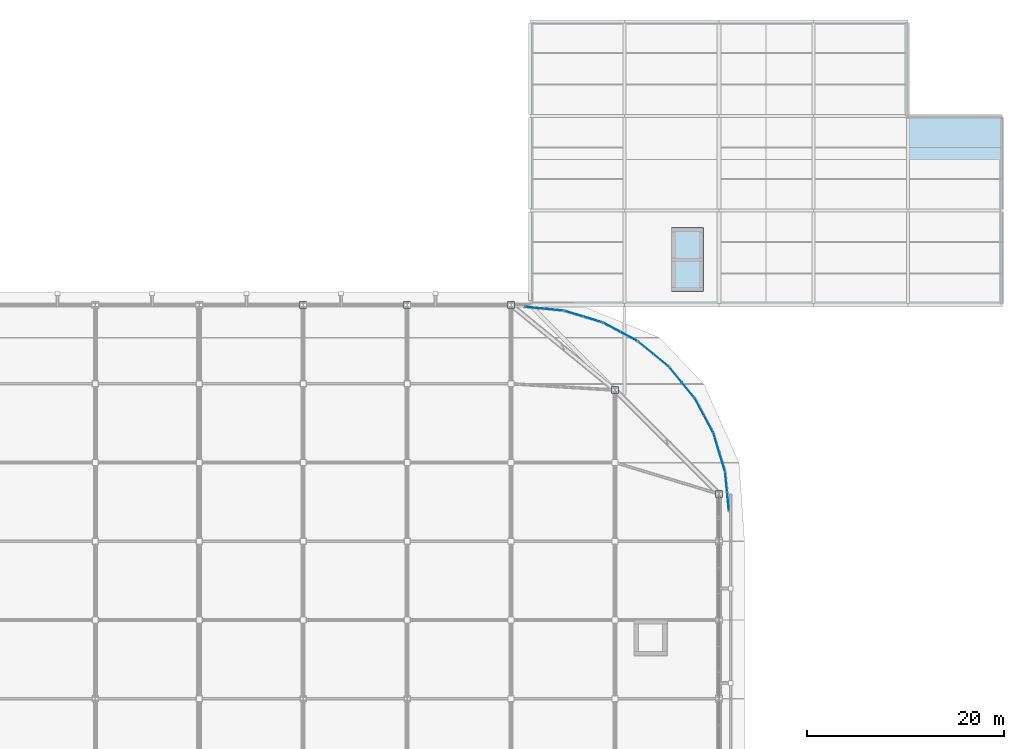
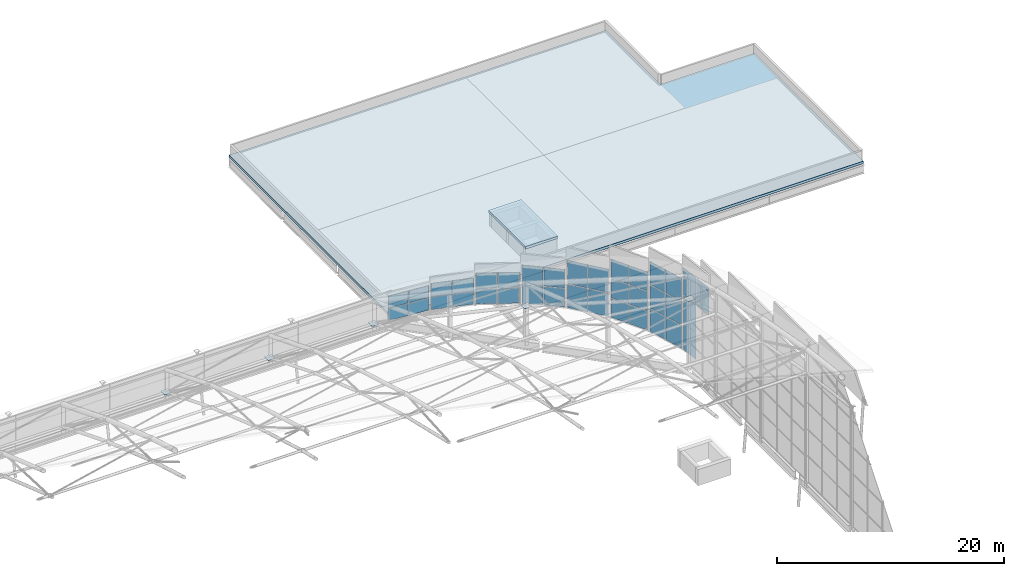
# One storey, part 38 of 42: 41 plates, 2 slabs, 9 elements without a shape of their own.
"""IFC4 building model written with IfcOpenShell, lengths in metres."""

import ifcopenshell
import ifcopenshell.guid

model = None  # the IFC model being written
_history = None  # IfcOwnerHistory: only IFC2X3 demands one
_inside = {}  # id of a spatial element -> (the spatial element, [elements in it])
_under = {}  # id of a project, library or spatial element -> (it, [spatial elements below it])
_declared = {}  # id of a project -> (the project, [libraries it declares])
_typed = {}  # id of a type object -> (the type object, [elements of that type])
_made_of = {}  # id of a material, layer set ... -> (it, [elements and type objects made of it])


def new_model(schema):
    """Start an empty IFC model of exactly this schema.

    Asked for "IFC4X3", IfcOpenShell would pick the latest addendum, in which some entities
    have other attributes; the version numbers below select the first issue.
    IFC2X3 requires an IfcOwnerHistory on every rooted entity: one is made here for all.
    """
    global model, _history
    if schema == "IFC4X3":
        model = ifcopenshell.file(schema_version=(4, 3, 0, 0))
    else:
        model = ifcopenshell.file(schema=schema)
    _inside.clear()
    _under.clear()
    _declared.clear()
    _typed.clear()
    _made_of.clear()
    _history = None
    if model.schema == "IFC2X3":
        org = make("IfcOrganization", Name="unknown")
        user = make(
            "IfcPersonAndOrganization",
            ThePerson=make("IfcPerson", FamilyName="unknown"),
            TheOrganization=org,
        )
        app = make(
            "IfcApplication",
            ApplicationDeveloper=org,
            Version="unknown",
            ApplicationFullName="unknown",
            ApplicationIdentifier="unknown",
        )
        _history = make(
            "IfcOwnerHistory",
            OwningUser=user,
            OwningApplication=app,
            ChangeAction="ADDED",
            CreationDate=0,
        )
    return model


def make(cls, **values):
    """One entity of the class cls with the attributes given. An attribute that is None is left unset."""
    return model.create_entity(
        cls, **{name: value for name, value in values.items() if value is not None}
    )


def rooted(cls, **values):
    """An entity with a GlobalId (a new one), such as an element, a storey or a relation."""
    return make(cls, GlobalId=ifcopenshell.guid.new(), OwnerHistory=_history, **values)


def si_unit(unit_type, name, prefix=None):
    """IfcSIUnit, for example si_unit("LENGTHUNIT", "METRE", prefix="MILLI")."""
    return make("IfcSIUnit", UnitType=unit_type, Prefix=prefix, Name=name)


def assignment(units):
    """IfcUnitAssignment: the units of a project."""
    return None if units is None else make("IfcUnitAssignment", Units=units)


def point(xyz):
    """IfcCartesianPoint."""
    return None if xyz is None else make("IfcCartesianPoint", Coordinates=xyz)


def direction(xyz):
    """IfcDirection."""
    return None if xyz is None else make("IfcDirection", DirectionRatios=xyz)


def frame(location, z_axis=None, x_axis=None):
    """IfcAxis2Placement3D, a coordinate frame: its origin and axes. An axis left out is left unset."""
    return make(
        "IfcAxis2Placement3D",
        Location=point(location),
        Axis=direction(z_axis),
        RefDirection=direction(x_axis),
    )


def frame_2d(location, x_axis=None):
    """IfcAxis2Placement2D, a coordinate frame in the plane: its origin and x axis."""
    return make(
        "IfcAxis2Placement2D", Location=point(location), RefDirection=direction(x_axis)
    )


def origin():
    """The frame at (0, 0, 0) with its axes left unset."""
    return frame((0.0, 0.0, 0.0))


def origin_2d():
    """The frame at (0, 0) in the plane with its x axis left unset."""
    return frame_2d((0.0, 0.0))


def place(relative_to, where):
    """IfcLocalPlacement: puts the frame where relative to a parent placement (None: the world)."""
    return make(
        "IfcLocalPlacement", PlacementRelTo=relative_to, RelativePlacement=where
    )


def context(
    kind, dimensions, precision=None, world=None, true_north=None, identifier=None
):
    """IfcGeometricRepresentationContext, for example the 3D "Model" context."""
    return make(
        "IfcGeometricRepresentationContext",
        ContextIdentifier=identifier,
        ContextType=kind,
        CoordinateSpaceDimension=dimensions,
        Precision=precision,
        WorldCoordinateSystem=world,
        TrueNorth=true_north,
    )


def subcontext(parent, identifier, kind, view, scale=None):
    """IfcGeometricRepresentationSubContext, for example "Body" below "Model"."""
    return make(
        "IfcGeometricRepresentationSubContext",
        ContextIdentifier=identifier,
        ContextType=kind,
        ParentContext=parent,
        TargetScale=scale,
        TargetView=view,
    )


def project(units=None, contexts=None):
    """IfcProject with its units and contexts."""
    return rooted(
        "IfcProject",
        Name="project",
        RepresentationContexts=contexts,
        UnitsInContext=assignment(units),
    )


def spatial(cls, under=None, at=None, **own):
    """A site, building, storey or space (cls), placed at a placement, below another one or the project."""
    s = rooted(cls, ObjectPlacement=at, **own)
    if under is not None:
        _under.setdefault(under.id(), (under, []))[1].append(s)
    return s


def polyline(points):
    """IfcPolyline through the points."""
    return make("IfcPolyline", Points=[point(p) for p in points])


def profile(cls, at=None, kind="AREA", **sizes):
    """A parametric profile (cls). Its sizes go by their IFC names, for example OverallWidth=200.0."""
    return make(cls, ProfileType=kind, Position=at, **sizes)


def rectangle(**sizes):
    """IfcRectangleProfileDef."""
    return profile("IfcRectangleProfileDef", **sizes)


def outline(outer, holes=None, kind="AREA"):
    """IfcArbitraryClosedProfileDef: a profile drawn as a closed curve; with holes, ...WithVoids."""
    if holes is None:
        return make("IfcArbitraryClosedProfileDef", ProfileType=kind, OuterCurve=outer)
    return make(
        "IfcArbitraryProfileDefWithVoids",
        ProfileType=kind,
        OuterCurve=outer,
        InnerCurves=holes,
    )


def extrude(swept, where, along, depth):
    """IfcExtrudedAreaSolid: the profile swept, set in the frame where, extruded along a direction by depth."""
    return make(
        "IfcExtrudedAreaSolid",
        SweptArea=swept,
        Position=where,
        ExtrudedDirection=direction(along),
        Depth=depth,
    )


def shape(context_of_items, identifier, shape_type, items):
    """IfcShapeRepresentation: the items that make up one representation, for example the "Body"."""
    return make(
        "IfcShapeRepresentation",
        ContextOfItems=context_of_items,
        RepresentationIdentifier=identifier,
        RepresentationType=shape_type,
        Items=items,
    )


def material(Name=None, Category=None):
    """IfcMaterial."""
    return make("IfcMaterial", Name=Name, Category=Category)


def layer(
    of_material, thickness, ventilated=None, Name=None, Category=None, Priority=None
):
    """IfcMaterialLayer: one layer of a wall or slab, of a material (None: an air gap)."""
    return make(
        "IfcMaterialLayer",
        Material=of_material,
        LayerThickness=thickness,
        IsVentilated=ventilated,
        Name=Name,
        Category=Category,
        Priority=Priority,
    )


def layer_set(layers, Name=None):
    """IfcMaterialLayerSet."""
    return make("IfcMaterialLayerSet", MaterialLayers=layers, LayerSetName=Name)


def made_of(thing, what):
    """Note that an element or type object is made of a material, layer set ...; save() writes the relation."""
    if what is not None:
        _made_of.setdefault(what.id(), (what, []))[1].append(thing)
    return thing


def type_object(cls, material=None, **own):
    """A type object (cls), such as IfcWallType, which elements share."""
    return made_of(rooted(cls, **own), material)


def element(
    cls,
    number,
    at=None,
    inside=None,
    cuts=None,
    type_object=None,
    material=None,
    context=None,
    identifier="Body",
    shape_type=None,
    held_by="IfcProductDefinitionShape",
    body=None,
    shapes=None,
    **own,
):
    """One element of the class cls, such as IfcWall. Its Tag is "e" and its number.

    at: its placement. inside: the storey or other place that contains it. cuts: it is an
    opening in that element (IfcRelVoidsElement). A single representation is given by context,
    identifier, shape_type and body (its items); several are given by shapes. held_by: the class
    of the entity that holds the representations. save() writes the other relations.
    """
    e = rooted(cls, Tag="e%d" % number, ObjectPlacement=at, **own)
    if body is not None:
        shapes = [shape(context, identifier, shape_type, body)]
    if shapes is not None:
        e.Representation = make(held_by, Representations=shapes)
    if inside is not None:
        _inside.setdefault(inside.id(), (inside, []))[1].append(e)
    if cuts is not None:
        rooted(
            "IfcRelVoidsElement", RelatingBuildingElement=cuts, RelatedOpeningElement=e
        )
    if type_object is not None:
        _typed.setdefault(type_object.id(), (type_object, []))[1].append(e)
    return made_of(e, material)


def aggregate(whole, parts):
    """IfcRelAggregates: a whole, such as a stair, and the parts it consists of."""
    return rooted("IfcRelAggregates", RelatingObject=whole, RelatedObjects=parts)


def save(model, path):
    """Write the relations noted so far, then the file.

    IfcRelAggregates (storeys below a building ...), IfcRelContainedInSpatialStructure (elements
    in a storey), IfcRelDefinesByType, IfcRelAssociatesMaterial and IfcRelDeclares: one each for
    every whole, place, type object, material and project.
    """
    for whole, parts in _under.values():
        aggregate(whole, parts)
    for where, things in _inside.values():
        rooted(
            "IfcRelContainedInSpatialStructure",
            RelatedElements=things,
            RelatingStructure=where,
        )
    for kind, things in _typed.values():
        rooted("IfcRelDefinesByType", RelatedObjects=things, RelatingType=kind)
    for what, things in _made_of.values():
        rooted("IfcRelAssociatesMaterial", RelatedObjects=things, RelatingMaterial=what)
    for by, libraries in _declared.values():
        rooted("IfcRelDeclares", RelatingContext=by, RelatedDefinitions=libraries)
    model.write(path)


model = new_model("IFC4")

# Units and contexts
model_context = context("Model", 3, precision=1e-05, world=origin(), true_north=direction((0.0, 1.0)))
body_context = subcontext(model_context, "Body", "Model", "MODEL_VIEW")
ifc_project = project(units=[si_unit("LENGTHUNIT", "METRE"), si_unit("AREAUNIT", "SQUARE_METRE"), si_unit("VOLUMEUNIT", "CUBIC_METRE"), si_unit("PLANEANGLEUNIT", "RADIAN"), si_unit("MASSUNIT", "GRAM", prefix="KILO")], contexts=[model_context])

# Site, building, storey
site_placement = place(None, origin())
site = spatial("IfcSite", under=ifc_project, at=site_placement, CompositionType="ELEMENT")
building_placement = place(site_placement, origin())
building = spatial("IfcBuilding", under=site, at=building_placement, Name="Caelomonte Colonnade Arena", CompositionType="ELEMENT")
storey_placement = place(building_placement, frame((0.0, 0.0, 28.199951171875)))
storey = spatial("IfcBuildingStorey", under=building, at=storey_placement, Name="RF", CompositionType="ELEMENT", Elevation=28.199951171875)

# Curtain wall, plates
ifc_material_1 = material(Name="Bronze anodised aluminium and low-E glazing", Category="aluminium")
ifc_layer_1 = layer(ifc_material_1, 0.179931640625)
ifc_layer_set_1 = layer_set([ifc_layer_1], Name="Bronze anodised aluminium and low-E glazing")
curtain_wall_type_1 = type_object("IfcCurtainWallType", Name="ENV-CW-CW-TYMPC-01-89", PredefinedType="USERDEFINED", material=ifc_layer_set_1)
curtain_wall_1_placement = place(storey_placement, origin())
curtain_wall_1 = element("IfcCurtainWall", 1, at=curtain_wall_1_placement, inside=storey, type_object=curtain_wall_type_1, Name="Barrel arch rounded corner clerestory curtain wall 9", ObjectType="UNITIZED CURTAIN WALL", PredefinedType="USERDEFINED")
ifc_material_2 = material(Name="Solar-control bronze low-E double glazing", Category="glass")
ifc_layer_2 = layer(ifc_material_2, 0.035888671875)
ifc_layer_set_2 = layer_set([ifc_layer_2], Name="Solar-control bronze low-E double glazing")
plate_type_1 = type_object("IfcPlateType", Name="ENV-CW-PAN36", PredefinedType="CURTAIN_PANEL", material=ifc_layer_set_2)
plate_1_placement = place(storey_placement, frame((164.11572265625, 95.2578125, 5.838623046875), z_axis=(0.0, 0.0, 1.0), x_axis=(-0.098031417843, 0.995183320356, 0.0)))
plate_1 = element("IfcPlate", 2, at=plate_1_placement, type_object=plate_type_1, Name="CW-TYMPC-01-89 panel 1.3", PredefinedType="CURTAIN_PANEL", context=body_context, shape_type="SweptSolid", body=[
    extrude(rectangle(XDim=1.8857421875, YDim=0.035888671875, at=origin_2d()), origin(), (0.0, 0.0, 1.0), 2.87158203125),
])
plate_2_placement = place(storey_placement, frame((163.924072265625, 97.2041015625, -0.079833984375), z_axis=(0.0, 0.0, 1.0), x_axis=(-0.098031417843, 0.995183320356, 0.0)))
plate_2 = element("IfcPlate", 3, at=plate_2_placement, type_object=plate_type_1, Name="CW-TYMPC-01-89 panel 2.1", PredefinedType="CURTAIN_PANEL", context=body_context, shape_type="SweptSolid", body=[
    extrude(rectangle(XDim=1.8857421875, YDim=0.035888671875, at=origin_2d()), origin(), (0.0, 0.0, 1.0), 2.87158203125),
])
plate_3_placement = place(storey_placement, frame((163.924072265625, 97.2041015625, 2.86181640625), z_axis=(0.0, 0.0, 1.0), x_axis=(-0.098031417843, 0.995183320356, 0.0)))
plate_3 = element("IfcPlate", 4, at=plate_3_placement, type_object=plate_type_1, Name="CW-TYMPC-01-89 panel 2.2", PredefinedType="CURTAIN_PANEL", context=body_context, shape_type="SweptSolid", body=[
    extrude(rectangle(XDim=1.8857421875, YDim=0.035888671875, at=origin_2d()), origin(), (0.0, 0.0, 1.0), 2.90673828125),
])
plate_4_placement = place(storey_placement, frame((163.924072265625, 97.2041015625, 5.838623046875), z_axis=(0.0, 0.0, 1.0), x_axis=(-0.098031417843, 0.995183320356, 0.0)))
plate_4 = element("IfcPlate", 5, at=plate_4_placement, type_object=plate_type_1, Name="CW-TYMPC-01-89 panel 2.3", PredefinedType="CURTAIN_PANEL", context=body_context, shape_type="SweptSolid", body=[
    extrude(rectangle(XDim=1.8857421875, YDim=0.035888671875, at=origin_2d()), origin(), (0.0, 0.0, 1.0), 2.87158203125),
])
aggregate(curtain_wall_1, [plate_1, plate_2, plate_3, plate_4])

ifc_layer_3 = layer(ifc_material_1, 0.179931640625)
ifc_layer_set_3 = layer_set([ifc_layer_3], Name="Bronze anodised aluminium and low-E glazing")
curtain_wall_type_2 = type_object("IfcCurtainWallType", Name="ENV-CW-CW-TYMPC-02-77", PredefinedType="USERDEFINED", material=ifc_layer_set_3)
curtain_wall_2_placement = place(storey_placement, origin())
curtain_wall_2 = element("IfcCurtainWall", 6, at=curtain_wall_2_placement, inside=storey, type_object=curtain_wall_type_2, Name="Barrel arch rounded corner clerestory curtain wall 10", ObjectType="UNITIZED CURTAIN WALL", PredefinedType="USERDEFINED")
plate_5_placement = place(storey_placement, frame((163.511474609375, 99.27880859375, -0.080078125), z_axis=(0.0, 0.0, 1.0), x_axis=(-0.290266004632, 0.956945999811, 0.0)))
plate_5 = element("IfcPlate", 7, at=plate_5_placement, type_object=plate_type_1, Name="CW-TYMPC-02-77 panel 1.1", PredefinedType="CURTAIN_PANEL", context=body_context, shape_type="SweptSolid", body=[
    extrude(rectangle(XDim=1.8857421875, YDim=0.035888671875, at=origin_2d()), origin(), (0.0, 0.0, 1.0), 2.450439453125),
])
plate_6_placement = place(storey_placement, frame((163.511474609375, 99.27880859375, 2.4404296875), z_axis=(0.0, 0.0, 1.0), x_axis=(-0.290266004632, 0.956945999811, 0.0)))
plate_6 = element("IfcPlate", 8, at=plate_6_placement, type_object=plate_type_1, Name="CW-TYMPC-02-77 panel 1.2", PredefinedType="CURTAIN_PANEL", context=body_context, shape_type="SweptSolid", body=[
    extrude(rectangle(XDim=1.8857421875, YDim=0.035888671875, at=origin_2d()), origin(), (0.0, 0.0, 1.0), 2.4853515625),
])
plate_7_placement = place(storey_placement, frame((163.511474609375, 99.27880859375, 4.99560546875), z_axis=(0.0, 0.0, 1.0), x_axis=(-0.290266004632, 0.956945999811, 0.0)))
plate_7 = element("IfcPlate", 9, at=plate_7_placement, type_object=plate_type_1, Name="CW-TYMPC-02-77 panel 1.3", PredefinedType="CURTAIN_PANEL", context=body_context, shape_type="SweptSolid", body=[
    extrude(rectangle(XDim=1.8857421875, YDim=0.035888671875, at=origin_2d()), origin(), (0.0, 0.0, 1.0), 2.450439453125),
])
plate_8_placement = place(storey_placement, frame((162.943603515625, 101.150390625, -0.080078125), z_axis=(0.0, 0.0, 1.0), x_axis=(-0.290266004632, 0.956945999811, 0.0)))
plate_8 = element("IfcPlate", 10, at=plate_8_placement, type_object=plate_type_1, Name="CW-TYMPC-02-77 panel 2.1", PredefinedType="CURTAIN_PANEL", context=body_context, shape_type="SweptSolid", body=[
    extrude(rectangle(XDim=1.8857421875, YDim=0.035888671875, at=origin_2d()), origin(), (0.0, 0.0, 1.0), 2.450439453125),
])
plate_9_placement = place(storey_placement, frame((162.943603515625, 101.150390625, 2.4404296875), z_axis=(0.0, 0.0, 1.0), x_axis=(-0.290266004632, 0.956945999811, 0.0)))
plate_9 = element("IfcPlate", 11, at=plate_9_placement, type_object=plate_type_1, Name="CW-TYMPC-02-77 panel 2.2", PredefinedType="CURTAIN_PANEL", context=body_context, shape_type="SweptSolid", body=[
    extrude(rectangle(XDim=1.8857421875, YDim=0.035888671875, at=origin_2d()), origin(), (0.0, 0.0, 1.0), 2.4853515625),
])
plate_10_placement = place(storey_placement, frame((162.943603515625, 101.150390625, 4.99560546875), z_axis=(0.0, 0.0, 1.0), x_axis=(-0.290266004632, 0.956945999811, 0.0)))
plate_10 = element("IfcPlate", 12, at=plate_10_placement, type_object=plate_type_1, Name="CW-TYMPC-02-77 panel 2.3", PredefinedType="CURTAIN_PANEL", context=body_context, shape_type="SweptSolid", body=[
    extrude(rectangle(XDim=1.8857421875, YDim=0.035888671875, at=origin_2d()), origin(), (0.0, 0.0, 1.0), 2.450439453125),
])
aggregate(curtain_wall_2, [plate_5, plate_6, plate_7, plate_8, plate_9, plate_10])

ifc_layer_4 = layer(ifc_material_1, 0.179931640625)
ifc_layer_set_4 = layer_set([ifc_layer_4], Name="Bronze anodised aluminium and low-E glazing")
curtain_wall_type_3 = type_object("IfcCurtainWallType", Name="ENV-CW-CW-TYMPC-03-64", PredefinedType="USERDEFINED", material=ifc_layer_set_4)
curtain_wall_3_placement = place(storey_placement, origin())
curtain_wall_3 = element("IfcCurtainWall", 13, at=curtain_wall_3_placement, inside=storey, type_object=curtain_wall_type_3, Name="Barrel arch rounded corner clerestory curtain wall 11", ObjectType="UNITIZED CURTAIN WALL", PredefinedType="USERDEFINED")
plate_11_placement = place(storey_placement, frame((162.134033203125, 103.10498046875, -0.080078125), z_axis=(0.0, 0.0, 1.0), x_axis=(-0.471391087795, 0.881924283795, 0.0)))
plate_11 = element("IfcPlate", 14, at=plate_11_placement, type_object=plate_type_1, Name="CW-TYMPC-03-64 panel 1.1", PredefinedType="CURTAIN_PANEL", context=body_context, shape_type="SweptSolid", body=[
    extrude(rectangle(XDim=1.8857421875, YDim=0.035888671875, at=origin_2d()), origin(), (0.0, 0.0, 1.0), 2.031494140625),
])
plate_12_placement = place(storey_placement, frame((162.134033203125, 103.10498046875, 2.021728515625), z_axis=(0.0, 0.0, 1.0), x_axis=(-0.471391087795, 0.881924283795, 0.0)))
plate_12 = element("IfcPlate", 15, at=plate_12_placement, type_object=plate_type_1, Name="CW-TYMPC-03-64 panel 1.2", PredefinedType="CURTAIN_PANEL", context=body_context, shape_type="SweptSolid", body=[
    extrude(rectangle(XDim=1.8857421875, YDim=0.035888671875, at=origin_2d()), origin(), (0.0, 0.0, 1.0), 2.06640625),
])
plate_13_placement = place(storey_placement, frame((162.134033203125, 103.10498046875, 4.158203125), z_axis=(0.0, 0.0, 1.0), x_axis=(-0.471391087795, 0.881924283795, 0.0)))
plate_13 = element("IfcPlate", 16, at=plate_13_placement, type_object=plate_type_1, Name="CW-TYMPC-03-64 panel 1.3", PredefinedType="CURTAIN_PANEL", context=body_context, shape_type="SweptSolid", body=[
    extrude(rectangle(XDim=1.8857421875, YDim=0.035888671875, at=origin_2d()), origin(), (0.0, 0.0, 1.0), 2.031494140625),
])
plate_14_placement = place(storey_placement, frame((161.212158203125, 104.82958984375, -0.080078125), z_axis=(0.0, 0.0, 1.0), x_axis=(-0.471391087795, 0.881924283795, 0.0)))
plate_14 = element("IfcPlate", 17, at=plate_14_placement, type_object=plate_type_1, Name="CW-TYMPC-03-64 panel 2.1", PredefinedType="CURTAIN_PANEL", context=body_context, shape_type="SweptSolid", body=[
    extrude(rectangle(XDim=1.8857421875, YDim=0.035888671875, at=origin_2d()), origin(), (0.0, 0.0, 1.0), 2.031494140625),
])
plate_15_placement = place(storey_placement, frame((161.212158203125, 104.82958984375, 2.021728515625), z_axis=(0.0, 0.0, 1.0), x_axis=(-0.471391087795, 0.881924283795, 0.0)))
plate_15 = element("IfcPlate", 18, at=plate_15_placement, type_object=plate_type_1, Name="CW-TYMPC-03-64 panel 2.2", PredefinedType="CURTAIN_PANEL", context=body_context, shape_type="SweptSolid", body=[
    extrude(rectangle(XDim=1.8857421875, YDim=0.035888671875, at=origin_2d()), origin(), (0.0, 0.0, 1.0), 2.06640625),
])
plate_16_placement = place(storey_placement, frame((161.212158203125, 104.82958984375, 4.158203125), z_axis=(0.0, 0.0, 1.0), x_axis=(-0.471391087795, 0.881924283795, 0.0)))
plate_16 = element("IfcPlate", 19, at=plate_16_placement, type_object=plate_type_1, Name="CW-TYMPC-03-64 panel 2.3", PredefinedType="CURTAIN_PANEL", context=body_context, shape_type="SweptSolid", body=[
    extrude(rectangle(XDim=1.8857421875, YDim=0.035888671875, at=origin_2d()), origin(), (0.0, 0.0, 1.0), 2.031494140625),
])
aggregate(curtain_wall_3, [plate_11, plate_12, plate_13, plate_14, plate_15, plate_16])

ifc_layer_5 = layer(ifc_material_1, 0.179931640625)
ifc_layer_set_5 = layer_set([ifc_layer_5], Name="Bronze anodised aluminium and low-E glazing")
curtain_wall_type_4 = type_object("IfcCurtainWallType", Name="ENV-CW-CW-TYMPC-04-52", PredefinedType="USERDEFINED", material=ifc_layer_set_5)
curtain_wall_4_placement = place(storey_placement, origin())
curtain_wall_4 = element("IfcCurtainWall", 20, at=curtain_wall_4_placement, inside=storey, type_object=curtain_wall_type_4, Name="Barrel arch rounded corner clerestory curtain wall 12", ObjectType="UNITIZED CURTAIN WALL", PredefinedType="USERDEFINED")
plate_17_placement = place(storey_placement, frame((160.036865234375, 106.588623046875, -0.080078125), z_axis=(0.0, 0.0, 1.0), x_axis=(-0.634405129694, 0.773000731835, 0.0)))
plate_17 = element("IfcPlate", 21, at=plate_17_placement, type_object=plate_type_1, Name="CW-TYMPC-04-52 panel 1.1", PredefinedType="CURTAIN_PANEL", context=body_context, shape_type="SweptSolid", body=[
    extrude(rectangle(XDim=1.8857421875, YDim=0.035888671875, at=origin_2d()), origin(), (0.0, 0.0, 1.0), 2.51318359375),
])
plate_18_placement = place(storey_placement, frame((160.036865234375, 106.588623046875, 2.50341796875), z_axis=(0.0, 0.0, 1.0), x_axis=(-0.634405129694, 0.773000731835, 0.0)))
plate_18 = element("IfcPlate", 22, at=plate_18_placement, type_object=plate_type_1, Name="CW-TYMPC-04-52 panel 1.2", PredefinedType="CURTAIN_PANEL", context=body_context, shape_type="SweptSolid", body=[
    extrude(rectangle(XDim=1.8857421875, YDim=0.035888671875, at=origin_2d()), origin(), (0.0, 0.0, 1.0), 2.512939453125),
])
plate_19_placement = place(storey_placement, frame((158.796142578125, 108.100341796875, -0.080078125), z_axis=(0.0, 0.0, 1.0), x_axis=(-0.634405129694, 0.773000731835, 0.0)))
plate_19 = element("IfcPlate", 23, at=plate_19_placement, type_object=plate_type_1, Name="CW-TYMPC-04-52 panel 2.1", PredefinedType="CURTAIN_PANEL", context=body_context, shape_type="SweptSolid", body=[
    extrude(rectangle(XDim=1.8857421875, YDim=0.035888671875, at=origin_2d()), origin(), (0.0, 0.0, 1.0), 2.51318359375),
])
plate_20_placement = place(storey_placement, frame((158.796142578125, 108.100341796875, 2.50341796875), z_axis=(0.0, 0.0, 1.0), x_axis=(-0.634405129694, 0.773000731835, 0.0)))
plate_20 = element("IfcPlate", 24, at=plate_20_placement, type_object=plate_type_1, Name="CW-TYMPC-04-52 panel 2.2", PredefinedType="CURTAIN_PANEL", context=body_context, shape_type="SweptSolid", body=[
    extrude(rectangle(XDim=1.8857421875, YDim=0.035888671875, at=origin_2d()), origin(), (0.0, 0.0, 1.0), 2.512939453125),
])
aggregate(curtain_wall_4, [plate_17, plate_18, plate_19, plate_20])

ifc_layer_6 = layer(ifc_material_1, 0.179931640625)
ifc_layer_set_6 = layer_set([ifc_layer_6], Name="Bronze anodised aluminium and low-E glazing")
curtain_wall_type_5 = type_object("IfcCurtainWallType", Name="ENV-CW-CW-TYMPC-04-42", PredefinedType="USERDEFINED", material=ifc_layer_set_6)
curtain_wall_5_placement = place(storey_placement, origin())
curtain_wall_5 = element("IfcCurtainWall", 25, at=curtain_wall_5_placement, inside=storey, type_object=curtain_wall_type_5, Name="Barrel arch rounded corner clerestory curtain wall 13", ObjectType="UNITIZED CURTAIN WALL", PredefinedType="USERDEFINED")
plate_21_placement = place(storey_placement, frame((157.30029296875, 109.59619140625, -0.080078125), z_axis=(0.0, 0.0, 1.0), x_axis=(-0.773000731835, 0.634405129694, 0.0)))
plate_21 = element("IfcPlate", 26, at=plate_21_placement, type_object=plate_type_1, Name="CW-TYMPC-04-42 panel 1.1", PredefinedType="CURTAIN_PANEL", context=body_context, shape_type="SweptSolid", body=[
    extrude(rectangle(XDim=1.8857421875, YDim=0.035888671875, at=origin_2d()), origin(), (0.0, 0.0, 1.0), 2.00634765625),
])
plate_22_placement = place(storey_placement, frame((157.30029296875, 109.59619140625, 1.99658203125), z_axis=(0.0, 0.0, 1.0), x_axis=(-0.773000731835, 0.634405129694, 0.0)))
plate_22 = element("IfcPlate", 27, at=plate_22_placement, type_object=plate_type_1, Name="CW-TYMPC-04-42 panel 1.2", PredefinedType="CURTAIN_PANEL", context=body_context, shape_type="SweptSolid", body=[
    extrude(rectangle(XDim=1.8857421875, YDim=0.035888671875, at=origin_2d()), origin(), (0.0, 0.0, 1.0), 2.006103515625),
])
plate_23_placement = place(storey_placement, frame((155.78857421875, 110.8369140625, -0.080078125), z_axis=(0.0, 0.0, 1.0), x_axis=(-0.773000731835, 0.634405129694, 0.0)))
plate_23 = element("IfcPlate", 28, at=plate_23_placement, type_object=plate_type_1, Name="CW-TYMPC-04-42 panel 2.1", PredefinedType="CURTAIN_PANEL", context=body_context, shape_type="SweptSolid", body=[
    extrude(rectangle(XDim=1.8857421875, YDim=0.035888671875, at=origin_2d()), origin(), (0.0, 0.0, 1.0), 2.00634765625),
])
plate_24_placement = place(storey_placement, frame((155.78857421875, 110.8369140625, 1.99658203125), z_axis=(0.0, 0.0, 1.0), x_axis=(-0.773000731835, 0.634405129694, 0.0)))
plate_24 = element("IfcPlate", 29, at=plate_24_placement, type_object=plate_type_1, Name="CW-TYMPC-04-42 panel 2.2", PredefinedType="CURTAIN_PANEL", context=body_context, shape_type="SweptSolid", body=[
    extrude(rectangle(XDim=1.8857421875, YDim=0.035888671875, at=origin_2d()), origin(), (0.0, 0.0, 1.0), 2.006103515625),
])
aggregate(curtain_wall_5, [plate_21, plate_22, plate_23, plate_24])

ifc_layer_7 = layer(ifc_material_1, 0.179931640625)
ifc_layer_set_7 = layer_set([ifc_layer_7], Name="Bronze anodised aluminium and low-E glazing")
curtain_wall_type_6 = type_object("IfcCurtainWallType", Name="ENV-CW-CW-TYMPC-03-34", PredefinedType="USERDEFINED", material=ifc_layer_set_7)
curtain_wall_6_placement = place(storey_placement, origin())
curtain_wall_6 = element("IfcCurtainWall", 30, at=curtain_wall_6_placement, inside=storey, type_object=curtain_wall_type_6, Name="Barrel arch rounded corner clerestory curtain wall 14", ObjectType="UNITIZED CURTAIN WALL", PredefinedType="USERDEFINED")
plate_25_placement = place(storey_placement, frame((154.029541015625, 112.01220703125, -0.080078125), z_axis=(0.0, 0.0, 1.0), x_axis=(-0.881924283795, 0.471391087795, 0.0)))
plate_25 = element("IfcPlate", 31, at=plate_25_placement, type_object=plate_type_1, Name="CW-TYMPC-03-34 panel 1.1", PredefinedType="CURTAIN_PANEL", context=body_context, shape_type="SweptSolid", body=[
    extrude(rectangle(XDim=1.8857421875, YDim=0.035888671875, at=origin_2d()), origin(), (0.0, 0.0, 1.0), 1.614990234375),
])
plate_26_placement = place(storey_placement, frame((154.029541015625, 112.01220703125, 1.60498046875), z_axis=(0.0, 0.0, 1.0), x_axis=(-0.881924283795, 0.471391087795, 0.0)))
plate_26 = element("IfcPlate", 32, at=plate_26_placement, type_object=plate_type_1, Name="CW-TYMPC-03-34 panel 1.2", PredefinedType="CURTAIN_PANEL", context=body_context, shape_type="SweptSolid", body=[
    extrude(rectangle(XDim=1.8857421875, YDim=0.035888671875, at=origin_2d()), origin(), (0.0, 0.0, 1.0), 1.614990234375),
])
plate_27_placement = place(storey_placement, frame((152.304931640625, 112.93408203125, -0.080078125), z_axis=(0.0, 0.0, 1.0), x_axis=(-0.881924283795, 0.471391087795, 0.0)))
plate_27 = element("IfcPlate", 33, at=plate_27_placement, type_object=plate_type_1, Name="CW-TYMPC-03-34 panel 2.1", PredefinedType="CURTAIN_PANEL", context=body_context, shape_type="SweptSolid", body=[
    extrude(rectangle(XDim=1.8857421875, YDim=0.035888671875, at=origin_2d()), origin(), (0.0, 0.0, 1.0), 1.614990234375),
])
plate_28_placement = place(storey_placement, frame((152.304931640625, 112.93408203125, 1.60498046875), z_axis=(0.0, 0.0, 1.0), x_axis=(-0.881924283795, 0.471391087795, 0.0)))
plate_28 = element("IfcPlate", 34, at=plate_28_placement, type_object=plate_type_1, Name="CW-TYMPC-03-34 panel 2.2", PredefinedType="CURTAIN_PANEL", context=body_context, shape_type="SweptSolid", body=[
    extrude(rectangle(XDim=1.8857421875, YDim=0.035888671875, at=origin_2d()), origin(), (0.0, 0.0, 1.0), 1.614990234375),
])
aggregate(curtain_wall_6, [plate_25, plate_26, plate_27, plate_28])

ifc_layer_8 = layer(ifc_material_1, 0.179931640625)
ifc_layer_set_8 = layer_set([ifc_layer_8], Name="Bronze anodised aluminium and low-E glazing")
curtain_wall_type_7 = type_object("IfcCurtainWallType", Name="ENV-CW-CW-TYMPC-02-29", PredefinedType="USERDEFINED", material=ifc_layer_set_8)
curtain_wall_7_placement = place(storey_placement, origin())
curtain_wall_7 = element("IfcCurtainWall", 35, at=curtain_wall_7_placement, inside=storey, type_object=curtain_wall_type_7, Name="Barrel arch rounded corner clerestory curtain wall 15", ObjectType="UNITIZED CURTAIN WALL", PredefinedType="USERDEFINED")
plate_29_placement = place(storey_placement, frame((150.350341796875, 113.74365234375, -0.080078125), z_axis=(0.0, 0.0, 1.0), x_axis=(-0.956945999811, 0.290266004632, 0.0)))
plate_29 = element("IfcPlate", 36, at=plate_29_placement, type_object=plate_type_1, Name="CW-TYMPC-02-29 panel 1.1", PredefinedType="CURTAIN_PANEL", context=body_context, shape_type="SweptSolid", body=[
    extrude(rectangle(XDim=1.8857421875, YDim=0.035888671875, at=origin_2d()), origin(), (0.0, 0.0, 1.0), 1.367919921875),
])
plate_30_placement = place(storey_placement, frame((150.350341796875, 113.74365234375, 1.35791015625), z_axis=(0.0, 0.0, 1.0), x_axis=(-0.956945999811, 0.290266004632, 0.0)))
plate_30 = element("IfcPlate", 37, at=plate_30_placement, type_object=plate_type_1, Name="CW-TYMPC-02-29 panel 1.2", PredefinedType="CURTAIN_PANEL", context=body_context, shape_type="SweptSolid", body=[
    extrude(rectangle(XDim=1.8857421875, YDim=0.035888671875, at=origin_2d()), origin(), (0.0, 0.0, 1.0), 1.36767578125),
])
plate_31_placement = place(storey_placement, frame((148.478759765625, 114.311279296875, -0.080078125), z_axis=(0.0, 0.0, 1.0), x_axis=(-0.956945999811, 0.290266004632, 0.0)))
plate_31 = element("IfcPlate", 38, at=plate_31_placement, type_object=plate_type_1, Name="CW-TYMPC-02-29 panel 2.1", PredefinedType="CURTAIN_PANEL", context=body_context, shape_type="SweptSolid", body=[
    extrude(rectangle(XDim=1.8857421875, YDim=0.035888671875, at=origin_2d()), origin(), (0.0, 0.0, 1.0), 1.367919921875),
])
plate_32_placement = place(storey_placement, frame((148.478759765625, 114.311279296875, 1.35791015625), z_axis=(0.0, 0.0, 1.0), x_axis=(-0.956945999811, 0.290266004632, 0.0)))
plate_32 = element("IfcPlate", 39, at=plate_32_placement, type_object=plate_type_1, Name="CW-TYMPC-02-29 panel 2.2", PredefinedType="CURTAIN_PANEL", context=body_context, shape_type="SweptSolid", body=[
    extrude(rectangle(XDim=1.8857421875, YDim=0.035888671875, at=origin_2d()), origin(), (0.0, 0.0, 1.0), 1.36767578125),
])
aggregate(curtain_wall_7, [plate_29, plate_30, plate_31, plate_32])

ifc_layer_9 = layer(ifc_material_1, 0.179931640625)
ifc_layer_set_9 = layer_set([ifc_layer_9], Name="Bronze anodised aluminium and low-E glazing")
curtain_wall_type_8 = type_object("IfcCurtainWallType", Name="ENV-CW-CW-TYMPC-01-28", PredefinedType="USERDEFINED", material=ifc_layer_set_9)
curtain_wall_8_placement = place(storey_placement, origin())
curtain_wall_8 = element("IfcCurtainWall", 40, at=curtain_wall_8_placement, inside=storey, type_object=curtain_wall_type_8, Name="Barrel arch rounded corner clerestory curtain wall 16", ObjectType="UNITIZED CURTAIN WALL", PredefinedType="USERDEFINED")
plate_33_placement = place(storey_placement, frame((146.404052734375, 114.72412109375, -0.079833984375), z_axis=(0.0, 0.0, 1.0), x_axis=(-0.995183320356, 0.098031417843, 0.0)))
plate_33 = element("IfcPlate", 41, at=plate_33_placement, type_object=plate_type_1, Name="CW-TYMPC-01-28 panel 1.1", PredefinedType="CURTAIN_PANEL", context=body_context, shape_type="SweptSolid", body=[
    extrude(rectangle(XDim=1.8857421875, YDim=0.035888671875, at=origin_2d()), origin(), (0.0, 0.0, 1.0), 1.283203125),
])
plate_34_placement = place(storey_placement, frame((146.404052734375, 114.72412109375, 1.273193359375), z_axis=(0.0, 0.0, 1.0), x_axis=(-0.995183320356, 0.098031417843, 0.0)))
plate_34 = element("IfcPlate", 42, at=plate_34_placement, type_object=plate_type_1, Name="CW-TYMPC-01-28 panel 1.2", PredefinedType="CURTAIN_PANEL", context=body_context, shape_type="SweptSolid", body=[
    extrude(rectangle(XDim=1.8857421875, YDim=0.035888671875, at=origin_2d()), origin(), (0.0, 0.0, 1.0), 1.283203125),
])
plate_35_placement = place(storey_placement, frame((144.457763671875, 114.915771484375, -0.079833984375), z_axis=(0.0, 0.0, 1.0), x_axis=(-0.995183320356, 0.098031417843, 0.0)))
plate_35 = element("IfcPlate", 43, at=plate_35_placement, type_object=plate_type_1, Name="CW-TYMPC-01-28 panel 2.1", PredefinedType="CURTAIN_PANEL", context=body_context, shape_type="SweptSolid", body=[
    extrude(rectangle(XDim=1.8857421875, YDim=0.035888671875, at=origin_2d()), origin(), (0.0, 0.0, 1.0), 1.283203125),
])
plate_36_placement = place(storey_placement, frame((144.457763671875, 114.915771484375, 1.273193359375), z_axis=(0.0, 0.0, 1.0), x_axis=(-0.995183320356, 0.098031417843, 0.0)))
plate_36 = element("IfcPlate", 44, at=plate_36_placement, type_object=plate_type_1, Name="CW-TYMPC-01-28 panel 2.2", PredefinedType="CURTAIN_PANEL", context=body_context, shape_type="SweptSolid", body=[
    extrude(rectangle(XDim=1.8857421875, YDim=0.035888671875, at=origin_2d()), origin(), (0.0, 0.0, 1.0), 1.283203125),
])
aggregate(curtain_wall_8, [plate_33, plate_34, plate_35, plate_36])

# Plates
ifc_material_3 = material(Name="Steel ASTM A572 Grade 50", Category="steel")
ifc_layer_10 = layer(ifc_material_3, 0.0400390625)
ifc_layer_set_10 = layer_set([ifc_layer_10], Name="Steel ASTM A572 Grade 50")
plate_type_2 = type_object("IfcPlateType", Name="STR-PL-SN01", PredefinedType="USERDEFINED", material=ifc_layer_set_10)
for number, where, z_axis, x_axis, name in (
    (45, (120.9599609375, 115.199951171875, -0.02001953125), (0.0, 0.0, 1.0), (1.0, 0.0, 0.0), "Space frame bottom node cap plate (6,12)"),
    (46, (131.52001953125, 115.199951171875, -0.02001953125), (0.0, 0.0, 1.0), (1.0, 0.0, 0.0), "Space frame bottom node cap plate (7,12)"),
    (47, (142.080078125, 115.199951171875, -0.02001953125), (0.0, 0.0, 1.0), (1.0, 0.0, 0.0), "Space frame bottom node cap plate (8,12)"),
    (48, (152.639892578125, 106.56005859375, 3.401123046875), (0.0, 0.0, 1.0), (1.0, 0.0, 0.0), "Space frame bottom node cap plate (9,11)"),
    (49, (163.199951171875, 96.0, 6.89501953125), (0.0, 0.0, 1.0), (1.0, 0.0, 0.0), "Space frame bottom node cap plate (10,10)"),
):
    element("IfcPlate", number, at=place(storey_placement, frame(where, z_axis=z_axis, x_axis=x_axis)), inside=storey, type_object=plate_type_2, Name=name, ObjectType="NODE CAP PLATE", PredefinedType="USERDEFINED", context=body_context, shape_type="SweptSolid", body=[
        extrude(rectangle(XDim=0.719970703125, YDim=0.719970703125, at=origin_2d()), origin(), (0.0, 0.0, 1.0), 0.0400390625),
    ])

# Roof, slab
ifc_material_4 = material(Name="Concrete C40/50", Category="concrete")
ifc_layer_11 = layer(ifc_material_4, 0.280029296875)
ifc_layer_set_11 = layer_set([ifc_layer_11], Name="Concrete C40/50")
roof_type = type_object("IfcRoofType", Name="ARC-RF-FLAT", PredefinedType="FLAT_ROOF", material=ifc_layer_set_11)
roof_placement = place(storey_placement, origin())
roof = element("IfcRoof", 50, at=roof_placement, inside=storey, type_object=roof_type, Name="Volume 4 north-east wing roof", PredefinedType="FLAT_ROOF")
ifc_layer_12 = layer(ifc_material_4, 0.280029296875)
ifc_layer_set_12 = layer_set([ifc_layer_12], Name="Concrete C40/50")
slab_type = type_object("IfcSlabType", Name="STR-SL-ROOF28", PredefinedType="ROOF", material=ifc_layer_set_12)
slab_1_placement = place(storey_placement, frame((0.0, 0.0, -0.280029296875)))
slab_1 = element("IfcSlab", 51, at=slab_1_placement, type_object=slab_type, Name="Volume 4 north-east wing roof slab", PredefinedType="ROOF", context=body_context, shape_type="SweptSolid", body=[
    extrude(outline(polyline([(192.0, 115.199951171875), (192.0, 134.39990234375), (182.39990234375, 134.39990234375), (182.39990234375, 144.0), (144.0, 144.0), (144.0, 115.199951171875), (192.0, 115.199951171875)])), origin(), (0.0, 0.0, 1.0), 0.280029296875),
])
aggregate(roof, [slab_1])

# Slab
slab_2_placement = place(storey_placement, frame((0.0, 0.0, 1.449951171875)))
element("IfcSlab", 52, at=slab_2_placement, inside=storey, type_object=slab_type, Name="Core C6 lift overrun roof slab", PredefinedType="ROOF", context=body_context, shape_type="SweptSolid", body=[
    extrude(outline(polyline([(158.35009765625, 116.550048828125), (161.64990234375, 116.550048828125), (161.64990234375, 123.050048828125), (158.35009765625, 123.050048828125), (158.35009765625, 116.550048828125)])), origin(), (0.0, 0.0, 1.0), 0.280029296875),
])

save(model, "model.ifc")
